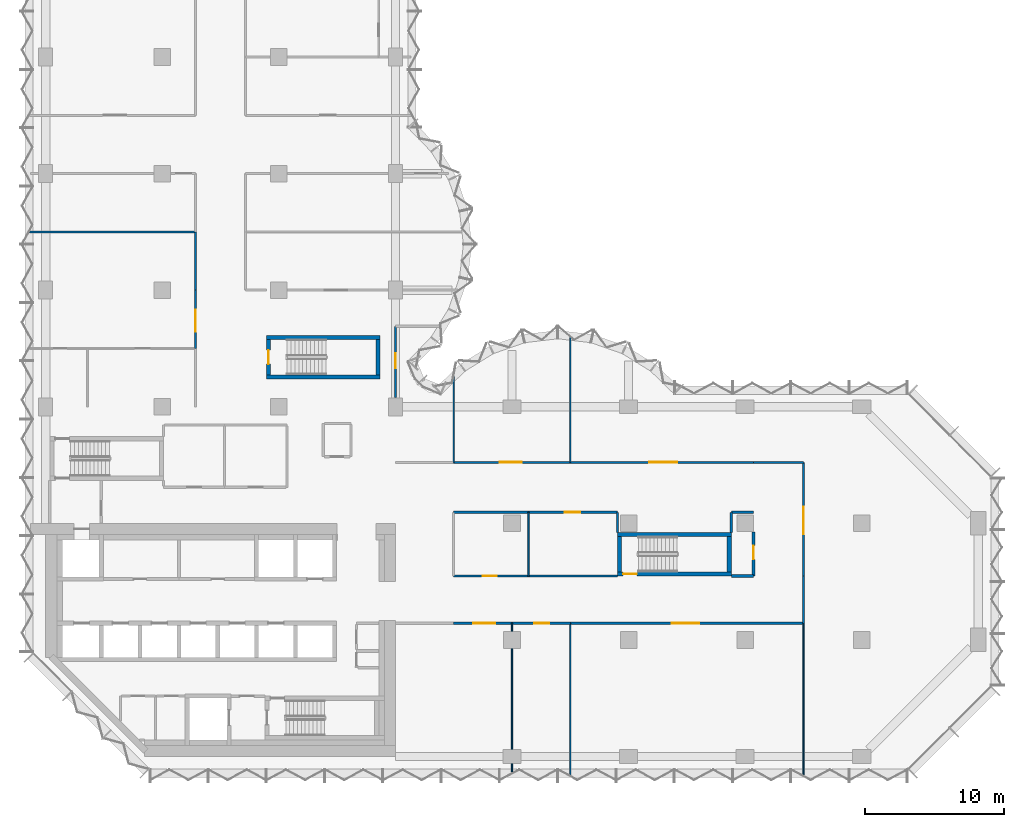
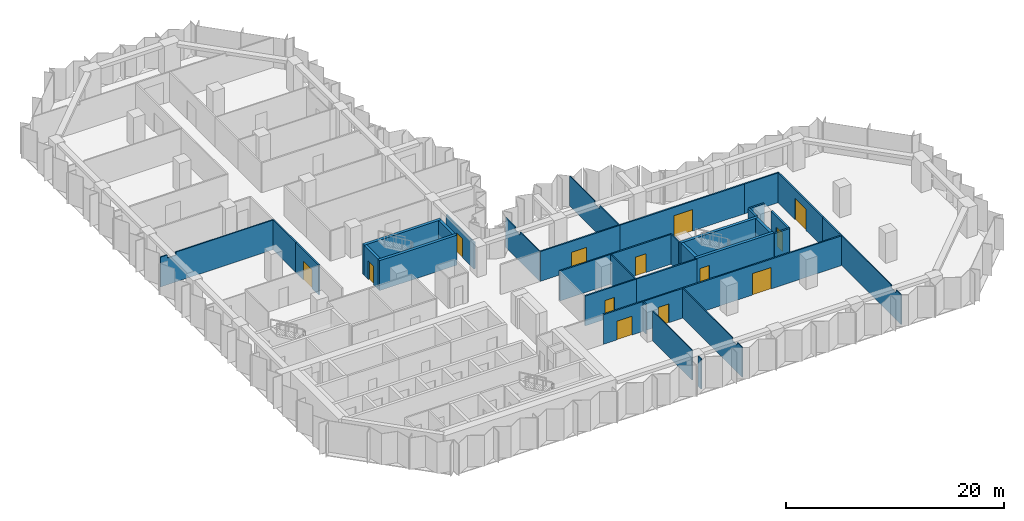
# One storey, part 9 of 13: 37 walls, 13 doors, 13 openings.
"""IFC4 building model written with IfcOpenShell, lengths in metres."""

from ifc_helpers import new_model, si_unit, direction, frame, frame_2d, origin, place, context, subcontext, project, spatial, polyline, rectangle, outline, extrude, material, layer, layer_set, type_object, element, fill, save


model = new_model("IFC4")

# Units and contexts
model_context = context("Model", 3, precision=1e-05, world=origin(), true_north=direction((0.0, 1.0)))
body_context = subcontext(model_context, "Body", "Model", "MODEL_VIEW")
ifc_project = project(units=[si_unit("LENGTHUNIT", "METRE"), si_unit("AREAUNIT", "SQUARE_METRE"), si_unit("VOLUMEUNIT", "CUBIC_METRE"), si_unit("PLANEANGLEUNIT", "RADIAN"), si_unit("MASSUNIT", "GRAM", prefix="KILO")], contexts=[model_context])

# Site, building, storey
site_placement = place(None, origin())
site = spatial("IfcSite", under=ifc_project, at=site_placement, CompositionType="ELEMENT")
building_placement = place(site_placement, origin())
building = spatial("IfcBuilding", under=site, at=building_placement, Name="Brevane Broadcast Tower", CompositionType="ELEMENT")
storey_placement = place(building_placement, frame((0.0, 0.0, 95.300048828125)))
storey = spatial("IfcBuildingStorey", under=building, at=storey_placement, Name="L22", CompositionType="ELEMENT", Elevation=95.300048828125)

# Walls
ifc_material_1 = material(Name="Concrete C60/75", Category="concrete")
ifc_layer_1 = layer(ifc_material_1, 0.300048828125)
ifc_layer_set_1 = layer_set([ifc_layer_1], Name="Core wall 300 mm C60/75")
wall_type_1 = type_object("IfcWallType", Name="Core wall 300 mm C60/75", PredefinedType="SHEAR", material=ifc_layer_set_1)
for number, where, z_axis, x_axis, name in (
    (1, (15.89990234375, 27.35009765625, 0.0), (0.0, 0.0, 1.0), (1.0, 0.0, 0.0), "L22 stair wall ST-3-S"),
    (2, (15.89990234375, 30.199951171875, 0.0), (0.0, 0.0, 1.0), (1.0, 0.0, 0.0), "L22 stair wall ST-3-N"),
):
    element("IfcWall", number, at=place(storey_placement, frame(where, z_axis=z_axis, x_axis=x_axis)), inside=storey, type_object=wall_type_1, Name=name, PredefinedType="SHEAR", context=body_context, shape_type="SweptSolid", body=[
        extrude(rectangle(XDim=8.2001953125, YDim=0.300048828125, at=frame_2d((4.10009765625, 0.0))), origin(), (0.0, 0.0, 1.0), 3.349853515625),
    ])

# Wall, opening, door
wall_1_placement = place(storey_placement, frame((16.050048828125, 27.5, 0.0), z_axis=(0.0, 0.0, 1.0), x_axis=(0.0, 1.0, 0.0)))
wall_1 = element("IfcWall", 3, at=wall_1_placement, inside=storey, type_object=wall_type_1, Name="L22 stair wall ST-3-W", PredefinedType="SHEAR", context=body_context, shape_type="SweptSolid", body=[
    extrude(rectangle(XDim=2.550048828125, YDim=0.300048828125, at=frame_2d((1.27490234375, 0.0))), origin(), (0.0, 0.0, 1.0), 3.349853515625),
])
opening_1_placement = place(wall_1_placement, frame((0.77490234375, 0.0, 0.0)))
opening_1 = element("IfcOpeningElement", 4, at=opening_1_placement, cuts=wall_1, Name="Opening L22-K14", PredefinedType="OPENING", context=body_context, shape_type="SweptSolid", body=[
    extrude(rectangle(XDim=1.0, YDim=2.10009765625, at=frame_2d((0.5, 1.050048828125))), frame((0.0, 0.159912109375, 0.0), z_axis=(0.0, -1.0, 0.0), x_axis=(1.0, 0.0, 0.0)), (0.0, 0.0, 1.0), 0.320068359375),
])
ifc_material_2 = material(Name="Steel", Category="steel")
door_type_1 = type_object("IfcDoorType", Name="Stair door 1000 x 2100", OperationType="SINGLE_SWING_LEFT", PredefinedType="DOOR", material=ifc_material_2)
door_1_placement = place(opening_1_placement, origin())
door_1 = element("IfcDoor", 5, at=door_1_placement, inside=storey, type_object=door_type_1, Name="Door L22-K14", OperationType="SINGLE_SWING_LEFT", OverallHeight=2.10009765625, OverallWidth=1.0, PredefinedType="DOOR", context=body_context, shape_type="SweptSolid", body=[
    extrude(rectangle(XDim=1.0, YDim=2.10009765625, at=frame_2d((0.5, 1.050048828125))), frame((0.0, 0.02490234375, 0.0), z_axis=(0.0, -1.0, 0.0), x_axis=(1.0, 0.0, 0.0)), (0.0, 0.0, 1.0), 0.050048828125),
])
fill(opening_1, door_1)

# Wall
wall_2_placement = place(storey_placement, frame((23.949951171875, 27.5, 0.0), z_axis=(0.0, 0.0, 1.0), x_axis=(0.0, 1.0, 0.0)))
element("IfcWall", 6, at=wall_2_placement, inside=storey, type_object=wall_type_1, Name="L22 stair wall ST-3-E", PredefinedType="SHEAR", context=body_context, shape_type="SweptSolid", body=[
    extrude(rectangle(XDim=2.550048828125, YDim=0.300048828125, at=frame_2d((1.27490234375, 0.0))), origin(), (0.0, 0.0, 1.0), 3.349853515625),
])

# Wall, opening, door
wall_3_placement = place(storey_placement, frame((49.39990234375, 13.14990234375, 0.0), z_axis=(0.0, 0.0, 1.0), x_axis=(-1.0, 0.0, 0.0)))
wall_3 = element("IfcWall", 7, at=wall_3_placement, inside=storey, type_object=wall_type_1, Name="L22 stair wall ST-4-S", PredefinedType="SHEAR", context=body_context, shape_type="SweptSolid", body=[
    extrude(rectangle(XDim=8.199951171875, YDim=0.300048828125, at=frame_2d((4.10009765625, 0.0))), origin(), (0.0, 0.0, 1.0), 3.349853515625),
])
opening_2_placement = place(wall_3_placement, frame((6.800048828125, 0.0, 0.0)))
opening_2 = element("IfcOpeningElement", 8, at=opening_2_placement, cuts=wall_3, Name="Opening L22-K15", PredefinedType="OPENING", context=body_context, shape_type="SweptSolid", body=[
    extrude(rectangle(XDim=1.0, YDim=2.10009765625, at=frame_2d((0.5, 1.050048828125))), frame((0.0, 0.159912109375, 0.0), z_axis=(0.0, -1.0, 0.0), x_axis=(1.0, 0.0, 0.0)), (0.0, 0.0, 1.0), 0.320068359375),
])
door_2_placement = place(opening_2_placement, origin())
door_2 = element("IfcDoor", 9, at=door_2_placement, inside=storey, type_object=door_type_1, Name="Door L22-K15", OperationType="SINGLE_SWING_RIGHT", OverallHeight=2.10009765625, OverallWidth=1.0, PredefinedType="DOOR", context=body_context, shape_type="SweptSolid", body=[
    extrude(rectangle(XDim=1.0, YDim=2.10009765625, at=frame_2d((0.5, 1.050048828125))), frame((0.0, 0.02490234375, 0.0), z_axis=(0.0, -1.0, 0.0), x_axis=(1.0, 0.0, 0.0)), (0.0, 0.0, 1.0), 0.050048828125),
])
fill(opening_2, door_2)

# Walls
wall_4_placement = place(storey_placement, frame((41.199951171875, 16.0, 0.0), z_axis=(0.0, 0.0, 1.0), x_axis=(1.0, 0.0, 0.0)))
element("IfcWall", 10, at=wall_4_placement, inside=storey, type_object=wall_type_1, Name="L22 stair wall ST-4-N", PredefinedType="SHEAR", context=body_context, shape_type="SweptSolid", body=[
    extrude(rectangle(XDim=8.199951171875, YDim=0.300048828125, at=frame_2d((4.10009765625, 0.0))), origin(), (0.0, 0.0, 1.0), 3.349853515625),
])
for number, where, z_axis, x_axis, name in (
    (11, (41.35009765625, 13.300048828125, 0.0), (0.0, 0.0, 1.0), (0.0, 1.0, 0.0), "L22 stair wall ST-4-W"),
    (12, (49.25, 13.300048828125, 0.0), (0.0, 0.0, 1.0), (0.0, 1.0, 0.0), "L22 stair wall ST-4-E"),
):
    element("IfcWall", number, at=place(storey_placement, frame(where, z_axis=z_axis, x_axis=x_axis)), inside=storey, type_object=wall_type_1, Name=name, PredefinedType="SHEAR", context=body_context, shape_type="SweptSolid", body=[
        extrude(rectangle(XDim=2.550048828125, YDim=0.300048828125, at=frame_2d((1.27490234375, 0.0))), origin(), (0.0, 0.0, 1.0), 3.349853515625),
    ])
ifc_material_3 = material(Name="Gypsum board partition")
ifc_layer_2 = layer(ifc_material_3, 0.10009765625)
ifc_layer_set_2 = layer_set([ifc_layer_2], Name="PARTITION 100 STUD")
wall_type_2 = type_object("IfcWallType", Name="PARTITION 100 STUD", PredefinedType="PARTITIONING", material=ifc_layer_set_2)
wall_5_placement = place(storey_placement, frame((29.39990234375, 27.428955078125, 0.0), z_axis=(0.0, 0.0, 1.0), x_axis=(0.0, -1.0, 0.0)))
element("IfcWall", 13, at=wall_5_placement, inside=storey, type_object=wall_type_2, Name="Partition G06-004", PredefinedType="PARTITIONING", context=body_context, shape_type="SweptSolid", body=[
    extrude(outline(polyline([(0.0, 0.0), (6.22900390625, 0.0), (6.22900390625, 3.329833984375), (2.678955078125, 3.329833984375), (2.677001953125, 2.97998046875), (1.781005859375, 2.97998046875), (1.779052734375, 3.329833984375), (0.154052734375, 3.329833984375), (0.0, 3.329833984375), (0.0, 0.0)])), frame((0.0, 0.050048828125, 0.0), z_axis=(0.0, -1.0, 0.0), x_axis=(1.0, 0.0, 0.0)), (0.0, 0.0, 1.0), 0.10009765625),
])
wall_6_placement = place(storey_placement, frame((54.60009765625, -1.364990234375, 0.0), z_axis=(0.0, 0.0, 1.0), x_axis=(0.0, 1.0, 0.0)))
element("IfcWall", 14, at=wall_6_placement, inside=storey, type_object=wall_type_2, Name="Partition G06-015", PredefinedType="PARTITIONING", context=body_context, shape_type="SweptSolid", body=[
    extrude(outline(polyline([(0.0, 0.0), (10.965087890625, 0.0), (10.965087890625, 3.329833984375), (1.81494140625, 3.329833984375), (1.81298828125, 2.97998046875), (0.9169921875, 2.97998046875), (0.9150390625, 3.329833984375), (0.264892578125, 3.329833984375), (0.0, 3.329833984375), (0.0, 0.0)])), frame((0.0, 0.050048828125, 0.0), z_axis=(0.0, -1.0, 0.0), x_axis=(1.0, 0.0, 0.0)), (0.0, 0.0, 1.0), 0.10009765625),
])
wall_7_placement = place(storey_placement, frame((34.800048828125, 17.60009765625, 0.0), z_axis=(0.0, 0.0, 1.0), x_axis=(0.0, -1.0, 0.0)))
element("IfcWall", 15, at=wall_7_placement, inside=storey, type_object=wall_type_2, Name="Partition G06-025", PredefinedType="PARTITIONING", context=body_context, shape_type="SweptSolid", body=[
    extrude(rectangle(XDim=4.60009765625, YDim=0.10009765625, at=frame_2d((2.300048828125, 0.0))), origin(), (0.0, 0.0, 1.0), 3.329833984375),
])
wall_8_placement = place(storey_placement, frame((33.60009765625, 9.60009765625, 0.0), z_axis=(0.0, 0.0, 1.0), x_axis=(0.0, -1.0, 0.0)))
element("IfcWall", 16, at=wall_8_placement, inside=storey, type_object=wall_type_2, Name="Partition G06-026", PredefinedType="PARTITIONING", context=body_context, shape_type="SweptSolid", body=[
    extrude(rectangle(XDim=0.580078125, YDim=0.10009765625, at=frame_2d((0.2900390625, 0.0))), origin(), (0.0, 0.0, 1.0), 3.329833984375),
])
wall_9_placement = place(storey_placement, frame((33.60009765625, 7.780029296875, 0.0), z_axis=(0.0, 0.0, 1.0), x_axis=(0.0, -1.0, 0.0)))
element("IfcWall", 17, at=wall_9_placement, inside=storey, type_object=wall_type_2, Name="Partition G06-027", PredefinedType="PARTITIONING", context=body_context, shape_type="SweptSolid", body=[
    extrude(rectangle(XDim=7.260009765625, YDim=0.10009765625, at=frame_2d((3.6298828125, 0.0))), origin(), (0.0, 0.0, 1.0), 3.329833984375),
])
wall_10_placement = place(storey_placement, frame((33.60009765625, -0.52001953125, 0.0), z_axis=(0.0, 0.0, 1.0), x_axis=(0.0, -1.0, 0.0)))
element("IfcWall", 18, at=wall_10_placement, inside=storey, type_object=wall_type_2, Name="Partition G06-028", PredefinedType="PARTITIONING", context=body_context, shape_type="SweptSolid", body=[
    extrude(rectangle(XDim=0.580078125, YDim=0.10009765625, at=frame_2d((0.2900390625, 0.0))), origin(), (0.0, 0.0, 1.0), 3.329833984375),
])
wall_11_placement = place(storey_placement, frame((37.800048828125, 9.60009765625, 0.0), z_axis=(0.0, 0.0, 1.0), x_axis=(0.0, -1.0, 0.0)))
element("IfcWall", 19, at=wall_11_placement, inside=storey, type_object=wall_type_2, Name="Partition G06-029", PredefinedType="PARTITIONING", context=body_context, shape_type="SweptSolid", body=[
    extrude(outline(polyline([(0.0, 0.0), (10.965087890625, 0.0), (10.965087890625, 3.329833984375), (10.699951171875, 3.329833984375), (10.050048828125, 3.329833984375), (10.048095703125, 2.97998046875), (9.152099609375, 2.97998046875), (9.14990234375, 3.329833984375), (0.0, 3.329833984375), (0.0, 0.0)])), frame((0.0, 0.050048828125, 0.0), z_axis=(0.0, -1.0, 0.0), x_axis=(1.0, 0.0, 0.0)), (0.0, 0.0, 1.0), 0.10009765625),
])
wall_12_placement = place(storey_placement, frame((37.800048828125, 30.24267578125, 0.0), z_axis=(0.0, 0.0, 1.0), x_axis=(0.0, -1.0, 0.0)))
element("IfcWall", 20, at=wall_12_placement, inside=storey, type_object=wall_type_2, Name="Partition G06-030", PredefinedType="PARTITIONING", context=body_context, shape_type="SweptSolid", body=[
    extrude(outline(polyline([(0.0, 0.0), (9.042724609375, 0.0), (9.042724609375, 3.329833984375), (5.49267578125, 3.329833984375), (5.49072265625, 2.97998046875), (4.5947265625, 2.97998046875), (4.5927734375, 3.329833984375), (0.0, 3.329833984375), (0.0, 0.0)])), frame((0.0, 0.050048828125, 0.0), z_axis=(0.0, -1.0, 0.0), x_axis=(1.0, 0.0, 0.0)), (0.0, 0.0, 1.0), 0.10009765625),
])
ifc_layer_3 = layer(ifc_material_3, 0.125)
ifc_layer_set_3 = layer_set([ifc_layer_3], Name="PARTITION 125 ACOUSTIC")
wall_type_3 = type_object("IfcWallType", Name="PARTITION 125 ACOUSTIC", PredefinedType="PARTITIONING", material=ifc_layer_set_3)
wall_13_placement = place(storey_placement, frame((-1.174072265625, 37.800048828125, 0.0), z_axis=(0.0, 0.0, 1.0), x_axis=(1.0, 0.0, 0.0)))
element("IfcWall", 21, at=wall_13_placement, inside=storey, type_object=wall_type_3, Name="Partition G06-054", PredefinedType="PARTITIONING", context=body_context, shape_type="SweptSolid", body=[
    extrude(outline(polyline([(0.0, 0.0), (11.97412109375, 0.0), (11.97412109375, 3.329833984375), (1.6240234375, 3.329833984375), (1.6220703125, 2.97998046875), (0.72607421875, 2.97998046875), (0.72412109375, 3.329833984375), (0.073974609375, 3.329833984375), (0.0, 3.329833984375), (0.0, 0.0)])), frame((0.0, 0.0625, 0.0), z_axis=(0.0, -1.0, 0.0), x_axis=(1.0, 0.0, 0.0)), (0.0, 0.0, 1.0), 0.125),
])

# Wall, opening, door
ifc_layer_4 = layer(ifc_material_3, 0.14990234375)
ifc_layer_set_4 = layer_set([ifc_layer_4], Name="PARTITION 150 EI 60")
wall_type_4 = type_object("IfcWallType", Name="PARTITION 150 EI 60", PredefinedType="PARTITIONING", material=ifc_layer_set_4)
wall_14_placement = place(storey_placement, frame((25.199951171875, 31.0, 0.0), z_axis=(0.0, 0.0, 1.0), x_axis=(0.0, -1.0, 0.0)))
wall_14 = element("IfcWall", 22, at=wall_14_placement, inside=storey, type_object=wall_type_4, Name="Partition G06-005", PredefinedType="PARTITIONING", context=body_context, shape_type="SweptSolid", body=[
    extrude(outline(polyline([(0.0, 0.0), (5.1298828125, 0.0), (5.1298828125, 2.97998046875), (0.0, 2.97998046875), (0.0, 0.0)])), frame((0.0, 0.074951171875, 0.0), z_axis=(0.0, -1.0, 0.0), x_axis=(1.0, 0.0, 0.0)), (0.0, 0.0, 1.0), 0.14990234375),
])
opening_3_placement = place(wall_14_placement, frame((1.929931640625, 0.0, 0.0)))
opening_3 = element("IfcOpeningElement", 23, at=opening_3_placement, cuts=wall_14, Name="Opening D13-001", PredefinedType="OPENING", context=body_context, shape_type="SweptSolid", body=[
    extrude(rectangle(XDim=1.10009765625, YDim=2.10009765625, at=frame_2d((0.550048828125, 1.050048828125))), frame((0.0, 0.0849609375, 0.0), z_axis=(0.0, -1.0, 0.0), x_axis=(1.0, 0.0, 0.0)), (0.0, 0.0, 1.0), 0.169921875),
])
ifc_material_4 = material(Name="Fire-rated timber door leaf", Category="wood")
door_type_2 = type_object("IfcDoorType", Name="DOOR SINGLE 1100 FD30S", OperationType="SINGLE_SWING_LEFT", PredefinedType="DOOR", material=ifc_material_4)
door_3_placement = place(opening_3_placement, origin())
door_3 = element("IfcDoor", 24, at=door_3_placement, inside=storey, type_object=door_type_2, Name="Door D13-001", OperationType="SINGLE_SWING_RIGHT", OverallHeight=2.10009765625, OverallWidth=1.10009765625, PredefinedType="DOOR", context=body_context, shape_type="SweptSolid", body=[
    extrude(rectangle(XDim=1.10009765625, YDim=2.10009765625, at=frame_2d((0.550048828125, 1.050048828125))), frame((0.0, 0.02490234375, 0.0), z_axis=(0.0, -1.0, 0.0), x_axis=(1.0, 0.0, 0.0)), (0.0, 0.0, 1.0), 0.050048828125),
])
fill(opening_3, door_3)

# Wall
wall_15_placement = place(storey_placement, frame((54.60009765625, 13.0, 0.0), z_axis=(0.0, 0.0, 1.0), x_axis=(0.0, -1.0, 0.0)))
element("IfcWall", 25, at=wall_15_placement, inside=storey, type_object=wall_type_4, Name="Partition G06-007", PredefinedType="PARTITIONING", context=body_context, shape_type="SweptSolid", body=[
    extrude(rectangle(XDim=3.39990234375, YDim=0.14990234375, at=frame_2d((1.699951171875, 0.0))), origin(), (0.0, 0.0, 1.0), 3.329833984375),
])

# Wall, opening, door
wall_16_placement = place(storey_placement, frame((29.39990234375, 13.0, 0.0), z_axis=(0.0, 0.0, 1.0), x_axis=(1.0, 0.0, 0.0)))
wall_16 = element("IfcWall", 26, at=wall_16_placement, inside=storey, type_object=wall_type_4, Name="Partition G06-008", PredefinedType="PARTITIONING", context=body_context, shape_type="SweptSolid", body=[
    extrude(rectangle(XDim=5.400146484375, YDim=0.14990234375, at=frame_2d((2.7001953125, 0.0))), origin(), (0.0, 0.0, 1.0), 3.329833984375),
])
opening_4_placement = place(wall_16_placement, frame((2.10009765625, 0.0, 0.0)))
opening_4 = element("IfcOpeningElement", 27, at=opening_4_placement, cuts=wall_16, Name="Opening D13-003", PredefinedType="OPENING", context=body_context, shape_type="SweptSolid", body=[
    extrude(rectangle(XDim=1.0, YDim=2.10009765625, at=frame_2d((0.5, 1.050048828125))), frame((0.0, 0.0849609375, 0.0), z_axis=(0.0, -1.0, 0.0), x_axis=(1.0, 0.0, 0.0)), (0.0, 0.0, 1.0), 0.169921875),
])
door_type_3 = type_object("IfcDoorType", Name="DOOR SINGLE 1000 FD30S", OperationType="SINGLE_SWING_LEFT", PredefinedType="DOOR", material=ifc_material_4)
door_4_placement = place(opening_4_placement, origin())
door_4 = element("IfcDoor", 28, at=door_4_placement, inside=storey, type_object=door_type_3, Name="Door D13-003", OperationType="SINGLE_SWING_LEFT", OverallHeight=2.10009765625, OverallWidth=1.0, PredefinedType="DOOR", context=body_context, shape_type="SweptSolid", body=[
    extrude(rectangle(XDim=1.0, YDim=2.10009765625, at=frame_2d((0.5, 1.050048828125))), frame((0.0, 0.02490234375, 0.0), z_axis=(0.0, -1.0, 0.0), x_axis=(1.0, 0.0, 0.0)), (0.0, 0.0, 1.0), 0.050048828125),
])
fill(opening_4, door_4)

# Wall
wall_17_placement = place(storey_placement, frame((34.800048828125, 13.0, 0.0), z_axis=(0.0, 0.0, 1.0), x_axis=(1.0, 0.0, 0.0)))
element("IfcWall", 29, at=wall_17_placement, inside=storey, type_object=wall_type_4, Name="Partition G06-009", PredefinedType="PARTITIONING", context=body_context, shape_type="SweptSolid", body=[
    extrude(rectangle(XDim=6.39990234375, YDim=0.14990234375, at=frame_2d((3.199951171875, 0.0))), origin(), (0.0, 0.0, 1.0), 3.329833984375),
])

# Wall, opening, door
wall_18_placement = place(storey_placement, frame((33.60009765625, 9.60009765625, 0.0), z_axis=(0.0, 0.0, 1.0), x_axis=(-1.0, 0.0, 0.0)))
wall_18 = element("IfcWall", 30, at=wall_18_placement, inside=storey, type_object=wall_type_4, Name="Partition G06-011", PredefinedType="PARTITIONING", context=body_context, shape_type="SweptSolid", body=[
    extrude(rectangle(XDim=4.2001953125, YDim=0.14990234375, at=frame_2d((2.10009765625, 0.0))), origin(), (0.0, 0.0, 1.0), 3.329833984375),
])
opening_5_placement = place(wall_18_placement, frame((1.199951171875, 0.0, 0.0)))
opening_5 = element("IfcOpeningElement", 31, at=opening_5_placement, cuts=wall_18, Name="Opening D13-006", PredefinedType="OPENING", context=body_context, shape_type="SweptSolid", body=[
    extrude(rectangle(XDim=1.60009765625, YDim=2.10009765625, at=frame_2d((0.800048828125, 1.050048828125))), frame((0.0, 0.0849609375, 0.0), z_axis=(0.0, -1.0, 0.0), x_axis=(1.0, 0.0, 0.0)), (0.0, 0.0, 1.0), 0.169921875),
])
door_type_4 = type_object("IfcDoorType", Name="DOOR DOUBLE 1600 FD30S", OperationType="DOUBLE_DOOR_SINGLE_SWING", PredefinedType="DOOR", material=ifc_material_4)
door_5_placement = place(opening_5_placement, origin())
door_5 = element("IfcDoor", 32, at=door_5_placement, inside=storey, type_object=door_type_4, Name="Door D13-006", OperationType="DOUBLE_DOOR_SINGLE_SWING", OverallHeight=2.10009765625, OverallWidth=1.60009765625, PredefinedType="DOOR", context=body_context, shape_type="SweptSolid", body=[
    extrude(rectangle(XDim=1.60009765625, YDim=2.10009765625, at=frame_2d((0.800048828125, 1.050048828125))), frame((0.0, 0.02490234375, 0.0), z_axis=(0.0, -1.0, 0.0), x_axis=(1.0, 0.0, 0.0)), (0.0, 0.0, 1.0), 0.050048828125),
])
fill(opening_5, door_5)

wall_19_placement = place(storey_placement, frame((37.800048828125, 9.60009765625, 0.0), z_axis=(0.0, 0.0, 1.0), x_axis=(-1.0, 0.0, 0.0)))
wall_19 = element("IfcWall", 33, at=wall_19_placement, inside=storey, type_object=wall_type_4, Name="Partition G06-012", PredefinedType="PARTITIONING", context=body_context, shape_type="SweptSolid", body=[
    extrude(rectangle(XDim=4.199951171875, YDim=0.14990234375, at=frame_2d((2.10009765625, 0.0))), origin(), (0.0, 0.0, 1.0), 3.329833984375),
])
opening_6_placement = place(wall_19_placement, frame((1.5, 0.0, 0.0)))
opening_6 = element("IfcOpeningElement", 34, at=opening_6_placement, cuts=wall_19, Name="Opening D13-007", PredefinedType="OPENING", context=body_context, shape_type="SweptSolid", body=[
    extrude(rectangle(XDim=1.10009765625, YDim=2.10009765625, at=frame_2d((0.550048828125, 1.050048828125))), frame((0.0, 0.0849609375, 0.0), z_axis=(0.0, -1.0, 0.0), x_axis=(1.0, 0.0, 0.0)), (0.0, 0.0, 1.0), 0.169921875),
])
door_6_placement = place(opening_6_placement, origin())
door_6 = element("IfcDoor", 35, at=door_6_placement, inside=storey, type_object=door_type_2, Name="Door D13-007", OperationType="SINGLE_SWING_LEFT", OverallHeight=2.10009765625, OverallWidth=1.10009765625, PredefinedType="DOOR", context=body_context, shape_type="SweptSolid", body=[
    extrude(rectangle(XDim=1.10009765625, YDim=2.10009765625, at=frame_2d((0.550048828125, 1.050048828125))), frame((0.0, 0.02490234375, 0.0), z_axis=(0.0, -1.0, 0.0), x_axis=(1.0, 0.0, 0.0)), (0.0, 0.0, 1.0), 0.050048828125),
])
fill(opening_6, door_6)

wall_20_placement = place(storey_placement, frame((54.60009765625, 9.60009765625, 0.0), z_axis=(0.0, 0.0, 1.0), x_axis=(-1.0, 0.0, 0.0)))
wall_20 = element("IfcWall", 36, at=wall_20_placement, inside=storey, type_object=wall_type_4, Name="Partition G06-013", PredefinedType="PARTITIONING", context=body_context, shape_type="SweptSolid", body=[
    extrude(rectangle(XDim=16.800048828125, YDim=0.14990234375, at=frame_2d((8.39990234375, 0.0))), origin(), (0.0, 0.0, 1.0), 3.329833984375),
])
opening_7_placement = place(wall_20_placement, frame((7.5, 0.0, 0.0)))
opening_7 = element("IfcOpeningElement", 37, at=opening_7_placement, cuts=wall_20, Name="Opening D13-008", PredefinedType="OPENING", context=body_context, shape_type="SweptSolid", body=[
    extrude(rectangle(XDim=2.0, YDim=2.39990234375, at=frame_2d((1.0, 1.199951171875))), frame((0.0, 0.0849609375, 0.0), z_axis=(0.0, -1.0, 0.0), x_axis=(1.0, 0.0, 0.0)), (0.0, 0.0, 1.0), 0.169921875),
])
door_type_5 = type_object("IfcDoorType", Name="DOOR DOUBLE 2000 FD30S", OperationType="DOUBLE_DOOR_SINGLE_SWING", PredefinedType="DOOR", material=ifc_material_4)
door_7_placement = place(opening_7_placement, origin())
door_7 = element("IfcDoor", 38, at=door_7_placement, inside=storey, type_object=door_type_5, Name="Door D13-008", OperationType="DOUBLE_DOOR_SINGLE_SWING", OverallHeight=2.39990234375, OverallWidth=2.0, PredefinedType="DOOR", context=body_context, shape_type="SweptSolid", body=[
    extrude(rectangle(XDim=2.0, YDim=2.39990234375, at=frame_2d((1.0, 1.199951171875))), frame((0.0, 0.02490234375, 0.0), z_axis=(0.0, -1.0, 0.0), x_axis=(1.0, 0.0, 0.0)), (0.0, 0.0, 1.0), 0.050048828125),
])
fill(opening_7, door_7)

wall_21_placement = place(storey_placement, frame((54.60009765625, 21.199951171875, 0.0), z_axis=(0.0, 0.0, 1.0), x_axis=(0.0, -1.0, 0.0)))
wall_21 = element("IfcWall", 39, at=wall_21_placement, inside=storey, type_object=wall_type_4, Name="Partition G06-014", PredefinedType="PARTITIONING", context=body_context, shape_type="SweptSolid", body=[
    extrude(rectangle(XDim=8.199951171875, YDim=0.14990234375, at=frame_2d((4.10009765625, 0.0))), origin(), (0.0, 0.0, 1.0), 3.329833984375),
])
opening_8_placement = place(wall_21_placement, frame((3.199951171875, 0.0, 0.0)))
opening_8 = element("IfcOpeningElement", 40, at=opening_8_placement, cuts=wall_21, Name="Opening D13-002", PredefinedType="OPENING", context=body_context, shape_type="SweptSolid", body=[
    extrude(rectangle(XDim=2.0, YDim=2.39990234375, at=frame_2d((1.0, 1.199951171875))), frame((0.0, 0.0849609375, 0.0), z_axis=(0.0, -1.0, 0.0), x_axis=(1.0, 0.0, 0.0)), (0.0, 0.0, 1.0), 0.169921875),
])
door_8_placement = place(opening_8_placement, origin())
door_8 = element("IfcDoor", 41, at=door_8_placement, inside=storey, type_object=door_type_5, Name="Door D13-002", OperationType="DOUBLE_DOOR_SINGLE_SWING", OverallHeight=2.39990234375, OverallWidth=2.0, PredefinedType="DOOR", context=body_context, shape_type="SweptSolid", body=[
    extrude(rectangle(XDim=2.0, YDim=2.39990234375, at=frame_2d((1.0, 1.199951171875))), frame((0.0, 0.02490234375, 0.0), z_axis=(0.0, -1.0, 0.0), x_axis=(1.0, 0.0, 0.0)), (0.0, 0.0, 1.0), 0.050048828125),
])
fill(opening_8, door_8)

# Walls
wall_22_placement = place(storey_placement, frame((34.800048828125, 17.60009765625, 0.0), z_axis=(0.0, 0.0, 1.0), x_axis=(-1.0, 0.0, 0.0)))
element("IfcWall", 42, at=wall_22_placement, inside=storey, type_object=wall_type_4, Name="Partition G06-016", PredefinedType="PARTITIONING", context=body_context, shape_type="SweptSolid", body=[
    extrude(rectangle(XDim=5.400146484375, YDim=0.14990234375, at=frame_2d((2.7001953125, 0.0))), origin(), (0.0, 0.0, 1.0), 3.329833984375),
])
wall_23_placement = place(storey_placement, frame((41.199951171875, 16.14990234375, 0.0), z_axis=(0.0, 0.0, 1.0), x_axis=(0.0, 1.0, 0.0)))
element("IfcWall", 43, at=wall_23_placement, inside=storey, type_object=wall_type_4, Name="Partition G06-017", PredefinedType="PARTITIONING", context=body_context, shape_type="SweptSolid", body=[
    extrude(rectangle(XDim=1.4501953125, YDim=0.14990234375, at=frame_2d((0.72509765625, 0.0))), origin(), (0.0, 0.0, 1.0), 3.329833984375),
])

# Wall, opening, door
wall_24_placement = place(storey_placement, frame((41.199951171875, 17.60009765625, 0.0), z_axis=(0.0, 0.0, 1.0), x_axis=(-1.0, 0.0, 0.0)))
wall_24 = element("IfcWall", 44, at=wall_24_placement, inside=storey, type_object=wall_type_4, Name="Partition G06-018", PredefinedType="PARTITIONING", context=body_context, shape_type="SweptSolid", body=[
    extrude(rectangle(XDim=6.39990234375, YDim=0.14990234375, at=frame_2d((3.199951171875, 0.0))), origin(), (0.0, 0.0, 1.0), 3.329833984375),
])
opening_9_placement = place(wall_24_placement, frame((2.699951171875, 0.0, 0.0)))
opening_9 = element("IfcOpeningElement", 45, at=opening_9_placement, cuts=wall_24, Name="Opening D13-004", PredefinedType="OPENING", context=body_context, shape_type="SweptSolid", body=[
    extrude(rectangle(XDim=1.10009765625, YDim=2.10009765625, at=frame_2d((0.550048828125, 1.050048828125))), frame((0.0, 0.0849609375, 0.0), z_axis=(0.0, -1.0, 0.0), x_axis=(1.0, 0.0, 0.0)), (0.0, 0.0, 1.0), 0.169921875),
])
door_9_placement = place(opening_9_placement, origin())
door_9 = element("IfcDoor", 46, at=door_9_placement, inside=storey, type_object=door_type_2, Name="Door D13-004", OperationType="SINGLE_SWING_LEFT", OverallHeight=2.10009765625, OverallWidth=1.10009765625, PredefinedType="DOOR", context=body_context, shape_type="SweptSolid", body=[
    extrude(rectangle(XDim=1.10009765625, YDim=2.10009765625, at=frame_2d((0.550048828125, 1.050048828125))), frame((0.0, 0.02490234375, 0.0), z_axis=(0.0, -1.0, 0.0), x_axis=(1.0, 0.0, 0.0)), (0.0, 0.0, 1.0), 0.050048828125),
])
fill(opening_9, door_9)

wall_25_placement = place(storey_placement, frame((29.39990234375, 21.199951171875, 0.0), z_axis=(0.0, 0.0, 1.0), x_axis=(1.0, 0.0, 0.0)))
wall_25 = element("IfcWall", 47, at=wall_25_placement, inside=storey, type_object=wall_type_4, Name="Partition G06-021", PredefinedType="PARTITIONING", context=body_context, shape_type="SweptSolid", body=[
    extrude(rectangle(XDim=8.400146484375, YDim=0.14990234375, at=frame_2d((4.2001953125, 0.0))), origin(), (0.0, 0.0, 1.0), 3.329833984375),
])
opening_10_placement = place(wall_25_placement, frame((3.300048828125, 0.0, 0.0)))
opening_10 = element("IfcOpeningElement", 48, at=opening_10_placement, cuts=wall_25, Name="Opening D13-009", PredefinedType="OPENING", context=body_context, shape_type="SweptSolid", body=[
    extrude(rectangle(XDim=1.60009765625, YDim=2.10009765625, at=frame_2d((0.800048828125, 1.050048828125))), frame((0.0, 0.0849609375, 0.0), z_axis=(0.0, -1.0, 0.0), x_axis=(1.0, 0.0, 0.0)), (0.0, 0.0, 1.0), 0.169921875),
])
door_10_placement = place(opening_10_placement, origin())
door_10 = element("IfcDoor", 49, at=door_10_placement, inside=storey, type_object=door_type_4, Name="Door D13-009", OperationType="DOUBLE_DOOR_SINGLE_SWING", OverallHeight=2.10009765625, OverallWidth=1.60009765625, PredefinedType="DOOR", context=body_context, shape_type="SweptSolid", body=[
    extrude(rectangle(XDim=1.60009765625, YDim=2.10009765625, at=frame_2d((0.800048828125, 1.050048828125))), frame((0.0, 0.02490234375, 0.0), z_axis=(0.0, -1.0, 0.0), x_axis=(1.0, 0.0, 0.0)), (0.0, 0.0, 1.0), 0.050048828125),
])
fill(opening_10, door_10)

wall_26_placement = place(storey_placement, frame((37.800048828125, 21.199951171875, 0.0), z_axis=(0.0, 0.0, 1.0), x_axis=(1.0, 0.0, 0.0)))
wall_26 = element("IfcWall", 50, at=wall_26_placement, inside=storey, type_object=wall_type_4, Name="Partition G06-022", PredefinedType="PARTITIONING", context=body_context, shape_type="SweptSolid", body=[
    extrude(rectangle(XDim=13.199951171875, YDim=0.14990234375, at=frame_2d((6.60009765625, 0.0))), origin(), (0.0, 0.0, 1.0), 3.329833984375),
])
opening_11_placement = place(wall_26_placement, frame((5.699951171875, 0.0, 0.0)))
opening_11 = element("IfcOpeningElement", 51, at=opening_11_placement, cuts=wall_26, Name="Opening D13-010", PredefinedType="OPENING", context=body_context, shape_type="SweptSolid", body=[
    extrude(rectangle(XDim=2.0, YDim=2.39990234375, at=frame_2d((1.0, 1.199951171875))), frame((0.0, 0.0849609375, 0.0), z_axis=(0.0, -1.0, 0.0), x_axis=(1.0, 0.0, 0.0)), (0.0, 0.0, 1.0), 0.169921875),
])
door_11_placement = place(opening_11_placement, origin())
door_11 = element("IfcDoor", 52, at=door_11_placement, inside=storey, type_object=door_type_5, Name="Door D13-010", OperationType="DOUBLE_DOOR_SINGLE_SWING", OverallHeight=2.39990234375, OverallWidth=2.0, PredefinedType="DOOR", context=body_context, shape_type="SweptSolid", body=[
    extrude(rectangle(XDim=2.0, YDim=2.39990234375, at=frame_2d((1.0, 1.199951171875))), frame((0.0, 0.02490234375, 0.0), z_axis=(0.0, -1.0, 0.0), x_axis=(1.0, 0.0, 0.0)), (0.0, 0.0, 1.0), 0.050048828125),
])
fill(opening_11, door_11)

# Wall
wall_27_placement = place(storey_placement, frame((51.0, 21.199951171875, 0.0), z_axis=(0.0, 0.0, 1.0), x_axis=(1.0, 0.0, 0.0)))
element("IfcWall", 53, at=wall_27_placement, inside=storey, type_object=wall_type_4, Name="Partition G06-024", PredefinedType="PARTITIONING", context=body_context, shape_type="SweptSolid", body=[
    extrude(rectangle(XDim=3.60009765625, YDim=0.14990234375, at=frame_2d((1.800048828125, 0.0))), origin(), (0.0, 0.0, 1.0), 3.329833984375),
])

# Wall, opening, door
wall_28_placement = place(storey_placement, frame((10.800048828125, 29.39990234375, 0.0), z_axis=(0.0, 0.0, 1.0), x_axis=(0.0, 1.0, 0.0)))
wall_28 = element("IfcWall", 54, at=wall_28_placement, inside=storey, type_object=wall_type_4, Name="Partition G06-031", PredefinedType="PARTITIONING", context=body_context, shape_type="SweptSolid", body=[
    extrude(rectangle(XDim=4.2001953125, YDim=0.14990234375, at=frame_2d((2.10009765625, 0.0))), origin(), (0.0, 0.0, 1.0), 3.329833984375),
])
opening_12_placement = place(wall_28_placement, frame((1.199951171875, 0.0, 0.0)))
opening_12 = element("IfcOpeningElement", 55, at=opening_12_placement, cuts=wall_28, Name="Opening D13-012", PredefinedType="OPENING", context=body_context, shape_type="SweptSolid", body=[
    extrude(rectangle(XDim=1.60009765625, YDim=2.10009765625, at=frame_2d((0.800048828125, 1.050048828125))), frame((0.0, 0.0849609375, 0.0), z_axis=(0.0, -1.0, 0.0), x_axis=(1.0, 0.0, 0.0)), (0.0, 0.0, 1.0), 0.169921875),
])
door_12_placement = place(opening_12_placement, origin())
door_12 = element("IfcDoor", 56, at=door_12_placement, inside=storey, type_object=door_type_4, Name="Door D13-012", OperationType="DOUBLE_DOOR_SINGLE_SWING", OverallHeight=2.10009765625, OverallWidth=1.60009765625, PredefinedType="DOOR", context=body_context, shape_type="SweptSolid", body=[
    extrude(rectangle(XDim=1.60009765625, YDim=2.10009765625, at=frame_2d((0.800048828125, 1.050048828125))), frame((0.0, 0.02490234375, 0.0), z_axis=(0.0, -1.0, 0.0), x_axis=(1.0, 0.0, 0.0)), (0.0, 0.0, 1.0), 0.050048828125),
])
fill(opening_12, door_12)

# Walls
wall_29_placement = place(storey_placement, frame((10.800048828125, 33.60009765625, 0.0), z_axis=(0.0, 0.0, 1.0), x_axis=(0.0, 1.0, 0.0)))
element("IfcWall", 57, at=wall_29_placement, inside=storey, type_object=wall_type_4, Name="Partition G06-037", PredefinedType="PARTITIONING", context=body_context, shape_type="SweptSolid", body=[
    extrude(rectangle(XDim=4.199951171875, YDim=0.14990234375, at=frame_2d((2.10009765625, 0.0))), origin(), (0.0, 0.0, 1.0), 3.329833984375),
])
ifc_layer_5 = layer(ifc_material_3, 0.199951171875)
ifc_layer_set_5 = layer_set([ifc_layer_5], Name="PARTITION 200 EI 120")
wall_type_5 = type_object("IfcWallType", Name="PARTITION 200 EI 120", PredefinedType="PARTITIONING", material=ifc_layer_set_5)
for number, where, z_axis, x_axis, name in (
    (58, (49.39990234375, 13.0, 0.0), (0.0, 0.0, 1.0), (1.0, 0.0, 0.0), "Partition G06-010"),
    (59, (51.0, 17.60009765625, 0.0), (0.0, 0.0, 1.0), (-1.0, 0.0, 0.0), "Partition G06-019"),
):
    element("IfcWall", number, at=place(storey_placement, frame(where, z_axis=z_axis, x_axis=x_axis)), inside=storey, type_object=wall_type_5, Name=name, PredefinedType="PARTITIONING", context=body_context, shape_type="SweptSolid", body=[
        extrude(rectangle(XDim=1.60009765625, YDim=0.199951171875, at=frame_2d((0.800048828125, 0.0))), origin(), (0.0, 0.0, 1.0), 3.329833984375),
    ])
wall_30_placement = place(storey_placement, frame((49.39990234375, 17.60009765625, 0.0), z_axis=(0.0, 0.0, 1.0), x_axis=(0.0, -1.0, 0.0)))
element("IfcWall", 60, at=wall_30_placement, inside=storey, type_object=wall_type_5, Name="Partition G06-020", PredefinedType="PARTITIONING", context=body_context, shape_type="SweptSolid", body=[
    extrude(rectangle(XDim=1.4501953125, YDim=0.199951171875, at=frame_2d((0.72509765625, 0.0))), origin(), (0.0, 0.0, 1.0), 3.329833984375),
])

# Wall, opening, door
wall_31_placement = place(storey_placement, frame((51.0, 13.0, 0.0), z_axis=(0.0, 0.0, 1.0), x_axis=(0.0, 1.0, 0.0)))
wall_31 = element("IfcWall", 61, at=wall_31_placement, inside=storey, type_object=wall_type_5, Name="Partition G06-023", PredefinedType="PARTITIONING", context=body_context, shape_type="SweptSolid", body=[
    extrude(rectangle(XDim=3.179931640625, YDim=0.199951171875, at=frame_2d((1.58984375, 0.0))), origin(), (0.0, 0.0, 1.0), 3.329833984375),
])
opening_13_placement = place(wall_31_placement, frame((1.199951171875, 0.0, 0.0)))
opening_13 = element("IfcOpeningElement", 62, at=opening_13_placement, cuts=wall_31, Name="Opening D13-005", PredefinedType="OPENING", context=body_context, shape_type="SweptSolid", body=[
    extrude(rectangle(XDim=1.0, YDim=2.10009765625, at=frame_2d((0.5, 1.050048828125))), frame((0.0, 0.10986328125, 0.0), z_axis=(0.0, -1.0, 0.0), x_axis=(1.0, 0.0, 0.0)), (0.0, 0.0, 1.0), 0.219970703125),
])
door_type_6 = type_object("IfcDoorType", Name="DOOR SINGLE 1000 FD60", OperationType="SINGLE_SWING_LEFT", PredefinedType="DOOR", material=ifc_material_4)
door_13_placement = place(opening_13_placement, origin())
door_13 = element("IfcDoor", 63, at=door_13_placement, inside=storey, type_object=door_type_6, Name="Door D13-005", OperationType="SINGLE_SWING_LEFT", OverallHeight=2.10009765625, OverallWidth=1.0, PredefinedType="DOOR", context=body_context, shape_type="SweptSolid", body=[
    extrude(rectangle(XDim=1.0, YDim=2.10009765625, at=frame_2d((0.5, 1.050048828125))), frame((0.0, 0.02490234375, 0.0), z_axis=(0.0, -1.0, 0.0), x_axis=(1.0, 0.0, 0.0)), (0.0, 0.0, 1.0), 0.050048828125),
])
fill(opening_13, door_13)

save(model, "model.ifc")
